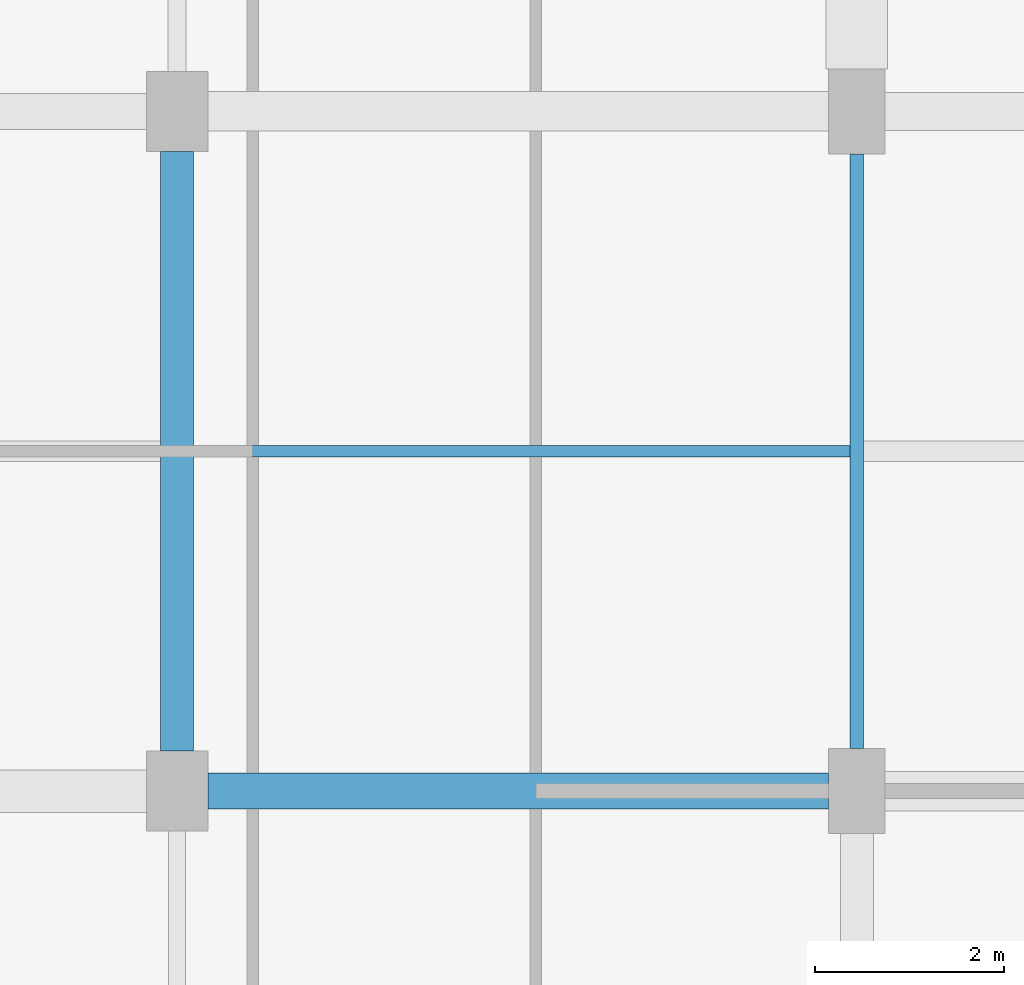
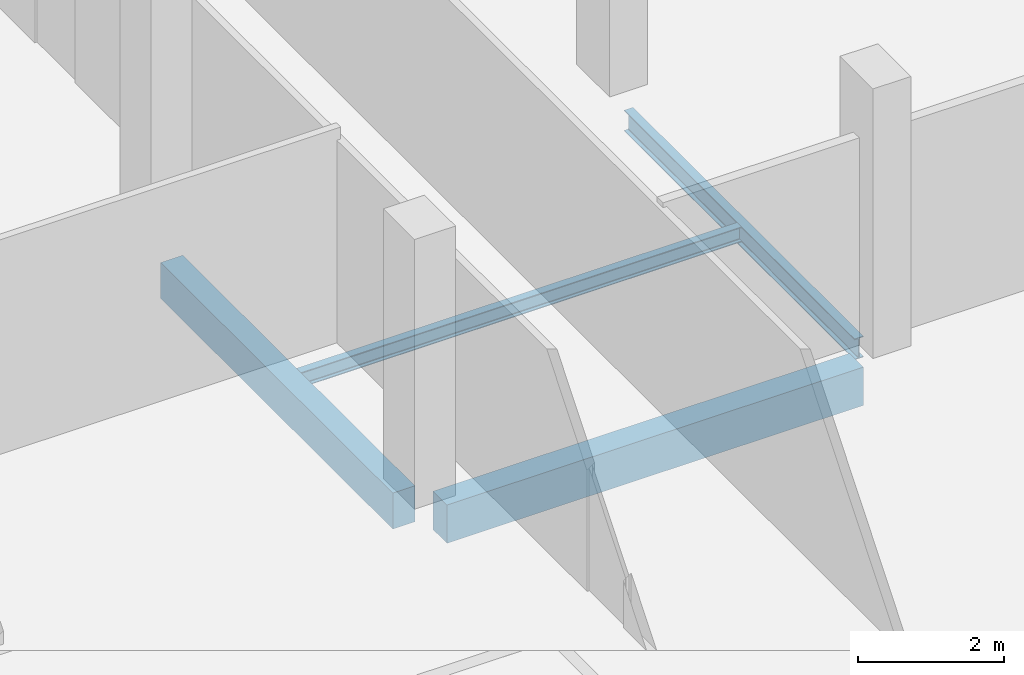
# One storey, part 49 of 134: 4 beams.
"""IFC4 building model written with IfcOpenShell, lengths in metres."""

from ifc_helpers import new_model, si_unit, direction, frame, origin, origin_2d, place, context, subcontext, project, spatial, rectangle, i_section, extrude, material, material_profile, profile_set, type_object, element, save


model = new_model("IFC4")

# Units and contexts
model_context = context("Model", 3, precision=1e-05, world=origin(), true_north=direction((0.0, 1.0)))
body_context = subcontext(model_context, "Body", "Model", "MODEL_VIEW")
ifc_project = project(units=[si_unit("LENGTHUNIT", "METRE"), si_unit("AREAUNIT", "SQUARE_METRE"), si_unit("VOLUMEUNIT", "CUBIC_METRE"), si_unit("PLANEANGLEUNIT", "RADIAN"), si_unit("MASSUNIT", "GRAM", prefix="KILO")], contexts=[model_context])

# Site, building, storey
site_placement = place(None, origin())
site = spatial("IfcSite", under=ifc_project, at=site_placement, CompositionType="ELEMENT")
building_placement = place(site_placement, origin())
building = spatial("IfcBuilding", under=site, at=building_placement, Name="Kalluvel Institute of Natural Sciences", CompositionType="ELEMENT")
storey_placement = place(building_placement, frame((0.0, 0.0, 5.39990234375)))
storey = spatial("IfcBuildingStorey", under=building, at=storey_placement, Name="L01", CompositionType="ELEMENT", Elevation=5.39990234375)

# Beams
ifc_material_1 = material(Name="Steel E350 Grade 350", Category="steel")
ifc_material_profile_1 = material_profile(ifc_material_1, i_section(OverallWidth=0.139892578125, OverallDepth=0.35009765625, WebThickness=0.008056640625, FlangeThickness=0.01416015625, FilletRadius=0.013916015625, at=origin_2d()), Name="ISMB 350")
ifc_profile_set_1 = profile_set([ifc_material_profile_1], Name="Steel E350 Grade 350")
beam_type_1 = type_object("IfcBeamType", Name="BM-ISMB350", PredefinedType="BEAM", material=ifc_profile_set_1)
beam_1_placement = place(storey_placement, frame((28.39990234375, 79.25, -0.474853515625), z_axis=(0.0, 1.0, 0.0), x_axis=(-1.0, 0.0, 0.0)))
element("IfcBeam", 1, at=beam_1_placement, inside=storey, type_object=beam_type_1, Name="L01 girder GIR-L01-NS-X284-Y788", PredefinedType="BEAM", context=body_context, shape_type="SweptSolid", body=[
    extrude(i_section(OverallWidth=0.139892578125, OverallDepth=0.35009765625, WebThickness=0.008056640625, FlangeThickness=0.01416015625, FilletRadius=0.013916015625, at=origin_2d()), origin(), (0.0, 0.0, 1.0), 6.300048828125),
])
ifc_material_2 = material(Name="Concrete M40", Category="concrete")
ifc_material_profile_2 = material_profile(ifc_material_2, rectangle(XDim=0.35009765625, YDim=0.60009765625, at=origin_2d()), Name="RCB 350x600")
ifc_profile_set_2 = profile_set([ifc_material_profile_2], Name="Concrete M40")
beam_type_2 = type_object("IfcBeamType", Name="BM-RC350x600", PredefinedType="BEAM", material=ifc_profile_set_2)
beam_2_placement = place(storey_placement, frame((21.199951171875, 79.22509765625, -0.599853515625), z_axis=(0.0, 1.0, 0.0), x_axis=(-1.0, 0.0, 0.0)))
element("IfcBeam", 2, at=beam_2_placement, inside=storey, type_object=beam_type_2, Name="L01 girder GIR-L01-NS-X212-Y788", PredefinedType="BEAM", context=body_context, shape_type="SweptSolid", body=[
    extrude(rectangle(XDim=0.35009765625, YDim=0.60009765625, at=origin_2d()), origin(), (0.0, 0.0, 1.0), 6.349853515625),
])
ifc_material_profile_3 = material_profile(ifc_material_2, rectangle(XDim=0.3798828125, YDim=0.639892578125, at=origin_2d()), Name="RCB 380x640")
ifc_profile_set_3 = profile_set([ifc_material_profile_3], Name="Concrete M40")
beam_type_3 = type_object("IfcBeamType", Name="BM-RC380x640", PredefinedType="BEAM", material=ifc_profile_set_3)
beam_3_placement = place(storey_placement, frame((21.52490234375, 78.800048828125, -0.619873046875), z_axis=(1.0, 0.0, 0.0), x_axis=(0.0, 1.0, 0.0)))
element("IfcBeam", 3, at=beam_3_placement, inside=storey, type_object=beam_type_3, Name="L01 girder GIR-L01-EW-X212-Y788", PredefinedType="BEAM", context=body_context, shape_type="SweptSolid", body=[
    extrude(rectangle(XDim=0.3798828125, YDim=0.639892578125, at=origin_2d()), origin(), (0.0, 0.0, 1.0), 6.5751953125),
])
ifc_material_profile_4 = material_profile(ifc_material_1, i_section(OverallWidth=0.125, OverallDepth=0.25, WebThickness=0.0068359375, FlangeThickness=0.012451171875, FilletRadius=0.012939453125, at=origin_2d()), Name="ISMB 250")
ifc_profile_set_4 = profile_set([ifc_material_profile_4], Name="Steel E350 Grade 350")
beam_type_4 = type_object("IfcBeamType", Name="WJ-ISMB250", PredefinedType="JOIST", material=ifc_profile_set_4)
beam_4_placement = place(storey_placement, frame((21.375, 82.39990234375, -0.4248046875), z_axis=(1.0, 0.0, 0.0), x_axis=(0.0, 1.0, 0.0)))
element("IfcBeam", 4, at=beam_4_placement, inside=storey, type_object=beam_type_4, Name="L01 floor rib RIB-L01-0651", PredefinedType="JOIST", context=body_context, shape_type="SweptSolid", body=[
    extrude(i_section(OverallWidth=0.125, OverallDepth=0.25, WebThickness=0.0068359375, FlangeThickness=0.012451171875, FilletRadius=0.012939453125, at=origin_2d()), origin(), (0.0, 0.0, 1.0), 6.955078125),
])

save(model, "model.ifc")
